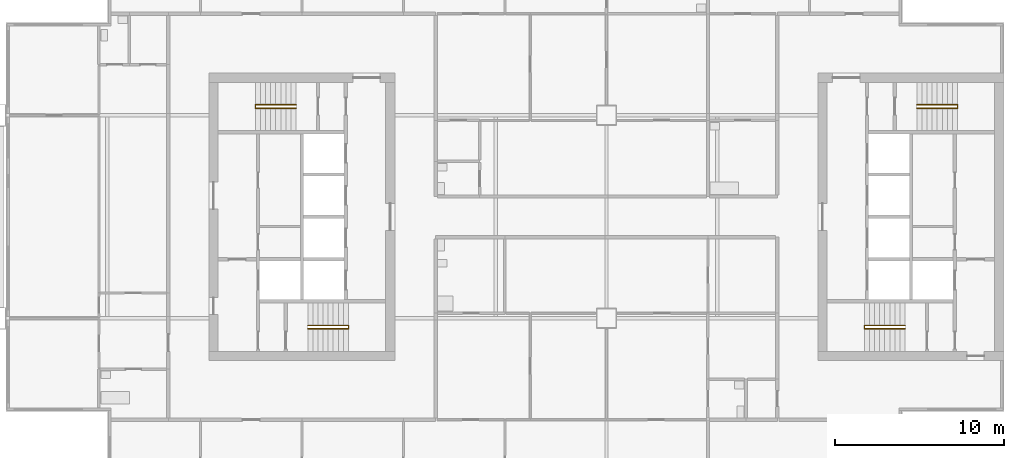
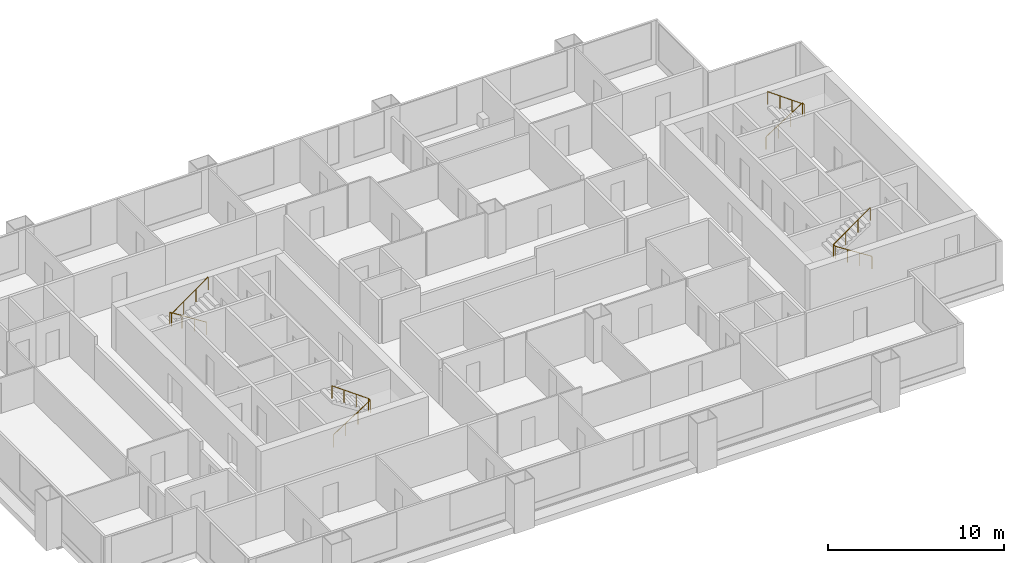
# One storey, part 8 of 9: 4 railings.
"""IFC4 building model written with IfcOpenShell, lengths in metres."""

from ifc_helpers import new_model, si_unit, direction, frame, origin, origin_2d, place, context, subcontext, project, spatial, circle, extrude, material, type_object, element, save


model = new_model("IFC4")

# Units and contexts
model_context = context("Model", 3, precision=1e-05, world=origin(), true_north=direction((0.0, 1.0)))
body_context = subcontext(model_context, "Body", "Model", "MODEL_VIEW")
ifc_project = project(units=[si_unit("LENGTHUNIT", "METRE"), si_unit("AREAUNIT", "SQUARE_METRE"), si_unit("VOLUMEUNIT", "CUBIC_METRE"), si_unit("PLANEANGLEUNIT", "RADIAN"), si_unit("MASSUNIT", "GRAM", prefix="KILO")], contexts=[model_context])

# Site, building, storey
site_placement = place(None, origin())
site = spatial("IfcSite", under=ifc_project, at=site_placement, CompositionType="ELEMENT")
building_placement = place(site_placement, origin())
building = spatial("IfcBuilding", under=site, at=building_placement, Name="Kitamizu Gate Tower and Museum", CompositionType="ELEMENT")
storey_placement = place(building_placement, frame((0.0, 0.0, 182.39990234375)))
storey = spatial("IfcBuildingStorey", under=building, at=storey_placement, Name="L48", CompositionType="ELEMENT", Elevation=182.39990234375)

# Railings
ifc_material = material(Name="Stainless steel SUS304", Category="steel")
railing_type = type_object("IfcRailingType", Name="Stair handrail 900", PredefinedType="HANDRAIL", material=ifc_material)
railing_1_placement = place(storey_placement, frame((18.35009765625, 23.375, 0.191650390625)))
element("IfcRailing", 1, at=railing_1_placement, inside=storey, type_object=railing_type, Name="Stair handrail ST1", PredefinedType="HANDRAIL", context=body_context, shape_type="SweptSolid", body=[
    extrude(circle(Radius=0.02392578125, at=origin_2d()), frame((0.0, 0.0, 0.8759765625), z_axis=(0.842668169335, 0.0, 0.538433242278), x_axis=(0.0, 1.0, 0.0)), (0.0, 0.0, 1.0), 2.847900390625),
    extrude(circle(Radius=0.02392578125, at=origin_2d()), frame((2.39990234375, 0.0, 2.4091796875), z_axis=(0.0, 1.0, 0.0), x_axis=(-1.0, 0.0, 0.0)), (0.0, 0.0, 1.0), 0.199951171875),
    extrude(circle(Radius=0.02392578125, at=origin_2d()), frame((2.39990234375, 0.199951171875, 2.4091796875), z_axis=(-0.811988456656, 0.0, 0.583673492852), x_axis=(0.0, -1.0, 0.0)), (0.0, 0.0, 1.0), 2.95556640625),
    extrude(circle(Radius=0.02099609375, at=origin_2d()), origin(), (0.0, 0.0, 1.0), 0.851806640625),
    extrude(circle(Radius=0.02099609375, at=origin_2d()), frame((0.800048828125, 0.0, 0.51123046875)), (0.0, 0.0, 1.0), 0.851806640625),
    extrude(circle(Radius=0.02099609375, at=origin_2d()), frame((1.599853515625, 0.0, 1.022216796875)), (0.0, 0.0, 1.0), 0.851806640625),
    extrude(circle(Radius=0.02099609375, at=origin_2d()), frame((2.39990234375, 0.0, 1.533447265625)), (0.0, 0.0, 1.0), 0.851806640625),
    extrude(circle(Radius=0.02099609375, at=origin_2d()), frame((2.39990234375, 0.199951171875, 1.533447265625)), (0.0, 0.0, 1.0), 0.851806640625),
    extrude(circle(Radius=0.02099609375, at=origin_2d()), frame((1.599853515625, 0.199951171875, 2.1083984375)), (0.0, 0.0, 1.0), 0.851806640625),
    extrude(circle(Radius=0.02099609375, at=origin_2d()), frame((0.800048828125, 0.199951171875, 2.68359375)), (0.0, 0.0, 1.0), 0.851806640625),
    extrude(circle(Radius=0.02099609375, at=origin_2d()), frame((0.0, 0.199951171875, 3.258544921875)), (0.0, 0.0, 1.0), 0.851806640625),
])
railing_2_placement = place(storey_placement, frame((17.64990234375, 36.625, 0.191650390625)))
element("IfcRailing", 2, at=railing_2_placement, inside=storey, type_object=railing_type, Name="Stair handrail ST2", PredefinedType="HANDRAIL", context=body_context, shape_type="SweptSolid", body=[
    extrude(circle(Radius=0.02392578125, at=origin_2d()), frame((0.0, 0.0, 0.8759765625), z_axis=(-0.842668169335, 0.0, 0.538433242278), x_axis=(0.0, -1.0, 0.0)), (0.0, 0.0, 1.0), 2.847900390625),
    extrude(circle(Radius=0.02392578125, at=origin_2d()), frame((-2.39990234375, 0.0, 2.4091796875), z_axis=(0.0, -1.0, 0.0), x_axis=(1.0, 0.0, 0.0)), (0.0, 0.0, 1.0), 0.199951171875),
    extrude(circle(Radius=0.02392578125, at=origin_2d()), frame((-2.39990234375, -0.199951171875, 2.4091796875), z_axis=(0.811988456656, 0.0, 0.583673492852), x_axis=(0.0, 1.0, 0.0)), (0.0, 0.0, 1.0), 2.95556640625),
    extrude(circle(Radius=0.02099609375, at=origin_2d()), origin(), (0.0, 0.0, 1.0), 0.851806640625),
    extrude(circle(Radius=0.02099609375, at=origin_2d()), frame((-0.800048828125, 0.0, 0.51123046875)), (0.0, 0.0, 1.0), 0.851806640625),
    extrude(circle(Radius=0.02099609375, at=origin_2d()), frame((-1.599853515625, 0.0, 1.022216796875)), (0.0, 0.0, 1.0), 0.851806640625),
    extrude(circle(Radius=0.02099609375, at=origin_2d()), frame((-2.39990234375, 0.0, 1.533447265625)), (0.0, 0.0, 1.0), 0.851806640625),
    extrude(circle(Radius=0.02099609375, at=origin_2d()), frame((-2.39990234375, -0.199951171875, 1.533447265625)), (0.0, 0.0, 1.0), 0.851806640625),
    extrude(circle(Radius=0.02099609375, at=origin_2d()), frame((-1.599853515625, -0.199951171875, 2.1083984375)), (0.0, 0.0, 1.0), 0.851806640625),
    extrude(circle(Radius=0.02099609375, at=origin_2d()), frame((-0.800048828125, -0.199951171875, 2.68359375)), (0.0, 0.0, 1.0), 0.851806640625),
    extrude(circle(Radius=0.02099609375, at=origin_2d()), frame((0.0, -0.199951171875, 3.258544921875)), (0.0, 0.0, 1.0), 0.851806640625),
])
railing_3_placement = place(storey_placement, frame((53.64990234375, 23.375, 0.191650390625)))
element("IfcRailing", 3, at=railing_3_placement, inside=storey, type_object=railing_type, Name="Stair handrail ST3", PredefinedType="HANDRAIL", context=body_context, shape_type="SweptSolid", body=[
    extrude(circle(Radius=0.02392578125, at=origin_2d()), frame((0.0, 0.0, 0.8759765625), z_axis=(-0.842668169335, 0.0, 0.538433242278), x_axis=(0.0, -1.0, 0.0)), (0.0, 0.0, 1.0), 2.847900390625),
    extrude(circle(Radius=0.02392578125, at=origin_2d()), frame((-2.39990234375, 0.0, 2.4091796875), z_axis=(0.0, 1.0, 0.0), x_axis=(-1.0, 0.0, 0.0)), (0.0, 0.0, 1.0), 0.199951171875),
    extrude(circle(Radius=0.02392578125, at=origin_2d()), frame((-2.39990234375, 0.199951171875, 2.4091796875), z_axis=(0.811988456656, 0.0, 0.583673492852), x_axis=(0.0, 1.0, 0.0)), (0.0, 0.0, 1.0), 2.95556640625),
    extrude(circle(Radius=0.02099609375, at=origin_2d()), origin(), (0.0, 0.0, 1.0), 0.851806640625),
    extrude(circle(Radius=0.02099609375, at=origin_2d()), frame((-0.800048828125, 0.0, 0.51123046875)), (0.0, 0.0, 1.0), 0.851806640625),
    extrude(circle(Radius=0.02099609375, at=origin_2d()), frame((-1.599853515625, 0.0, 1.022216796875)), (0.0, 0.0, 1.0), 0.851806640625),
    extrude(circle(Radius=0.02099609375, at=origin_2d()), frame((-2.39990234375, 0.0, 1.533447265625)), (0.0, 0.0, 1.0), 0.851806640625),
    extrude(circle(Radius=0.02099609375, at=origin_2d()), frame((-2.39990234375, 0.199951171875, 1.533447265625)), (0.0, 0.0, 1.0), 0.851806640625),
    extrude(circle(Radius=0.02099609375, at=origin_2d()), frame((-1.599853515625, 0.199951171875, 2.1083984375)), (0.0, 0.0, 1.0), 0.851806640625),
    extrude(circle(Radius=0.02099609375, at=origin_2d()), frame((-0.800048828125, 0.199951171875, 2.68359375)), (0.0, 0.0, 1.0), 0.851806640625),
    extrude(circle(Radius=0.02099609375, at=origin_2d()), frame((0.0, 0.199951171875, 3.258544921875)), (0.0, 0.0, 1.0), 0.851806640625),
])
railing_4_placement = place(storey_placement, frame((54.35009765625, 36.625, 0.191650390625)))
element("IfcRailing", 4, at=railing_4_placement, inside=storey, type_object=railing_type, Name="Stair handrail ST4", PredefinedType="HANDRAIL", context=body_context, shape_type="SweptSolid", body=[
    extrude(circle(Radius=0.02392578125, at=origin_2d()), frame((0.0, 0.0, 0.8759765625), z_axis=(0.842668169335, 0.0, 0.538433242278), x_axis=(0.0, 1.0, 0.0)), (0.0, 0.0, 1.0), 2.847900390625),
    extrude(circle(Radius=0.02392578125, at=origin_2d()), frame((2.39990234375, 0.0, 2.4091796875), z_axis=(0.0, -1.0, 0.0), x_axis=(1.0, 0.0, 0.0)), (0.0, 0.0, 1.0), 0.199951171875),
    extrude(circle(Radius=0.02392578125, at=origin_2d()), frame((2.39990234375, -0.199951171875, 2.4091796875), z_axis=(-0.811988456656, 0.0, 0.583673492852), x_axis=(0.0, -1.0, 0.0)), (0.0, 0.0, 1.0), 2.95556640625),
    extrude(circle(Radius=0.02099609375, at=origin_2d()), origin(), (0.0, 0.0, 1.0), 0.851806640625),
    extrude(circle(Radius=0.02099609375, at=origin_2d()), frame((0.800048828125, 0.0, 0.51123046875)), (0.0, 0.0, 1.0), 0.851806640625),
    extrude(circle(Radius=0.02099609375, at=origin_2d()), frame((1.599853515625, 0.0, 1.022216796875)), (0.0, 0.0, 1.0), 0.851806640625),
    extrude(circle(Radius=0.02099609375, at=origin_2d()), frame((2.39990234375, 0.0, 1.533447265625)), (0.0, 0.0, 1.0), 0.851806640625),
    extrude(circle(Radius=0.02099609375, at=origin_2d()), frame((2.39990234375, -0.199951171875, 1.533447265625)), (0.0, 0.0, 1.0), 0.851806640625),
    extrude(circle(Radius=0.02099609375, at=origin_2d()), frame((1.599853515625, -0.199951171875, 2.1083984375)), (0.0, 0.0, 1.0), 0.851806640625),
    extrude(circle(Radius=0.02099609375, at=origin_2d()), frame((0.800048828125, -0.199951171875, 2.68359375)), (0.0, 0.0, 1.0), 0.851806640625),
    extrude(circle(Radius=0.02099609375, at=origin_2d()), frame((0.0, -0.199951171875, 3.258544921875)), (0.0, 0.0, 1.0), 0.851806640625),
])

save(model, "model.ifc")
